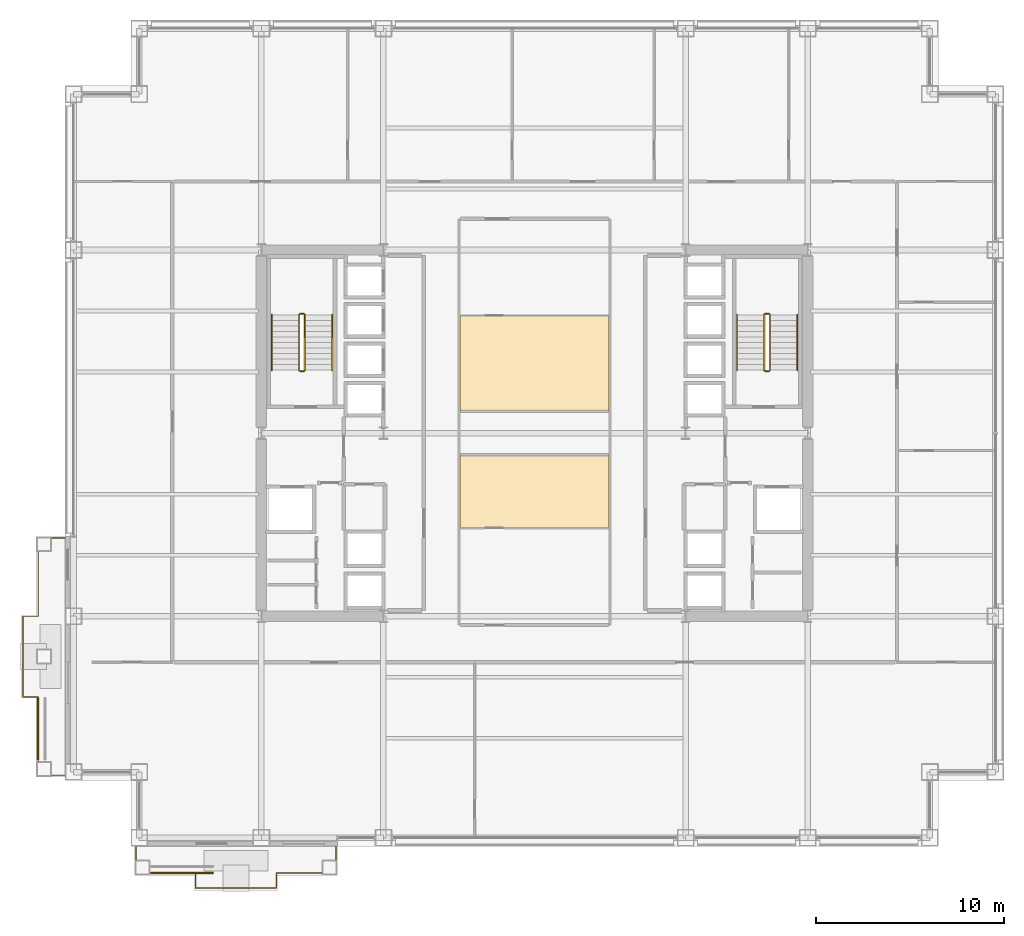
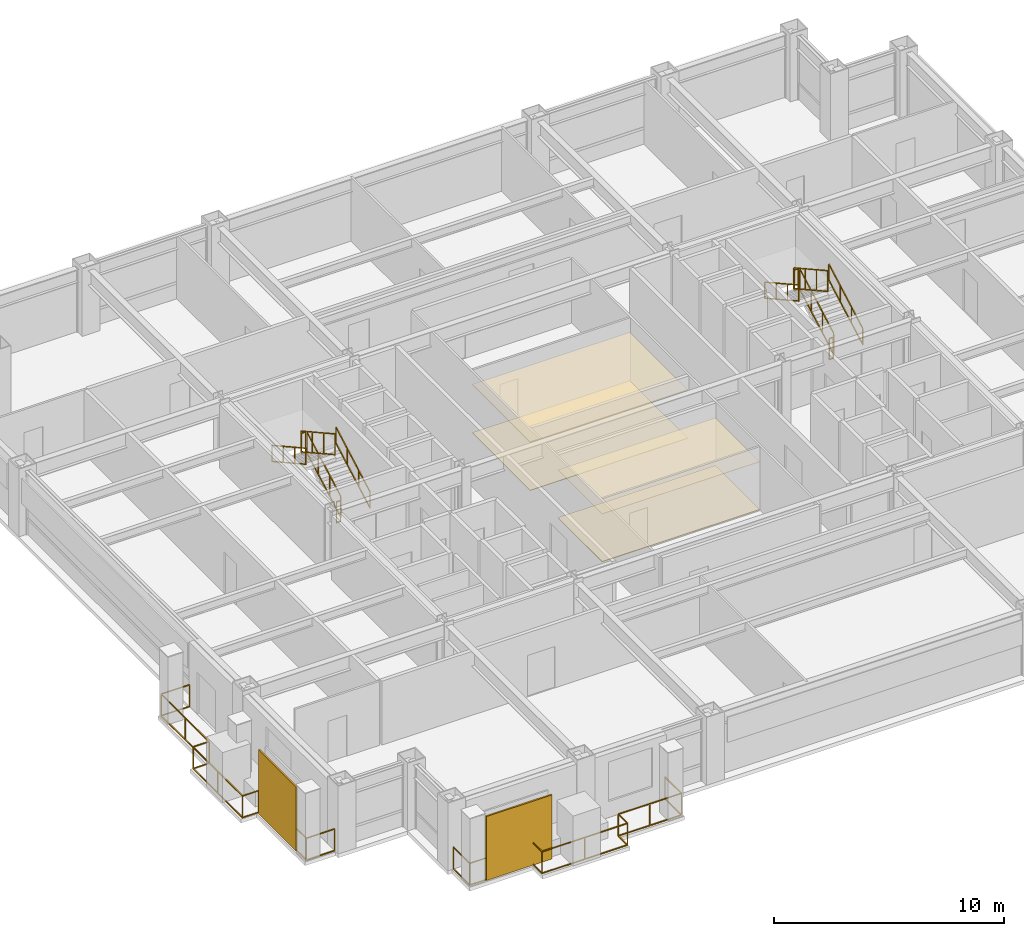
# One storey, part 27 of 28: 14 railings, 4 coverings, 2 shading devices.
"""IFC4 building model written with IfcOpenShell, lengths in metres."""

from ifc_helpers import new_model, si_unit, direction, frame, origin, origin_2d, place, context, subcontext, project, spatial, polyline, rectangle, outline, extrude, material, layer, layer_set, type_object, element, save


model = new_model("IFC4")

# Units and contexts
model_context = context("Model", 3, precision=1e-05, world=origin(), true_north=direction((0.0, 1.0)))
body_context = subcontext(model_context, "Body", "Model", "MODEL_VIEW")
ifc_project = project(units=[si_unit("LENGTHUNIT", "METRE"), si_unit("AREAUNIT", "SQUARE_METRE"), si_unit("VOLUMEUNIT", "CUBIC_METRE"), si_unit("PLANEANGLEUNIT", "RADIAN"), si_unit("MASSUNIT", "GRAM", prefix="KILO")], contexts=[model_context])

# Site, building, storey
site_placement = place(None, origin())
site = spatial("IfcSite", under=ifc_project, at=site_placement, CompositionType="ELEMENT")
building_placement = place(site_placement, origin())
building = spatial("IfcBuilding", under=site, at=building_placement, Name="Brelmoor Portico Tower", CompositionType="ELEMENT")
storey_placement = place(building_placement, frame((0.0, 0.0, 70.800048828125)))
storey = spatial("IfcBuildingStorey", under=building, at=storey_placement, Name="L18", CompositionType="ELEMENT", Elevation=70.800048828125)

# Coverings
ifc_material_1 = material(Name="Perforated Mineral-Fibre Acoustic Ceiling Tile", Category="gypsum")
ifc_layer_1 = layer(ifc_material_1, 0.02490234375)
ifc_layer_set_1 = layer_set([ifc_layer_1], Name="Perforated Mineral-Fibre Acoustic Ceiling Tile")
covering_type_1 = type_object("IfcCoveringType", Name="CV-CEIL-GYPSUM-25", PredefinedType="CEILING", material=ifc_layer_set_1)
covering_1_placement = place(storey_placement, frame((0.0, 0.0, 2.550048828125)))
element("IfcCovering", 1, at=covering_1_placement, inside=storey, type_object=covering_type_1, Name="L18 Acoustic Suspended Ceiling 02", PredefinedType="CEILING", context=body_context, shape_type="SweptSolid", body=[
    extrude(outline(polyline([(-3.9599609375, -5.06005859375), (-3.9599609375, -1.199951171875), (3.9599609375, -1.199951171875), (3.9599609375, -5.06005859375), (-3.9599609375, -5.06005859375)])), origin(), (0.0, 0.0, 1.0), 0.02490234375),
])
ifc_material_2 = material(Name="Slatted FSC Oak Acoustic Feature Ceiling", Category="timber")
ifc_layer_2 = layer(ifc_material_2, 0.052001953125)
ifc_layer_set_2 = layer_set([ifc_layer_2], Name="Slatted FSC Oak Acoustic Feature Ceiling")
covering_type_2 = type_object("IfcCoveringType", Name="CV-CEIL-TIMBER-52", PredefinedType="CEILING", material=ifc_layer_set_2)
covering_2_placement = place(storey_placement, frame((0.0, 0.0, 2.550048828125)))
element("IfcCovering", 2, at=covering_2_placement, inside=storey, type_object=covering_type_2, Name="L18 Acoustic Suspended Ceiling 01", PredefinedType="CEILING", context=body_context, shape_type="SweptSolid", body=[
    extrude(outline(polyline([(-3.9599609375, 1.199951171875), (-3.9599609375, 6.260009765625), (3.9599609375, 6.260009765625), (3.9599609375, 1.199951171875), (-3.9599609375, 1.199951171875)])), origin(), (0.0, 0.0, 1.0), 0.052001953125),
])
ifc_material_3 = material(Name="Honed Pearl-Grey Granite Paver Finish", Category="masonry")
ifc_layer_3 = layer(ifc_material_3, 0.0380859375)
ifc_layer_set_3 = layer_set([ifc_layer_3], Name="Honed Pearl-Grey Granite Paver Finish")
covering_type_3 = type_object("IfcCoveringType", Name="CV-FLR-GRANITE-38", PredefinedType="FLOORING", material=ifc_layer_set_3)
covering_3_placement = place(storey_placement, origin())
element("IfcCovering", 3, at=covering_3_placement, inside=storey, type_object=covering_type_3, Name="L18 Architectural Floor Finish 02", PredefinedType="FLOORING", context=body_context, shape_type="SweptSolid", body=[
    extrude(outline(polyline([(-3.9599609375, -5.06005859375), (-3.9599609375, -1.199951171875), (3.9599609375, -1.199951171875), (3.9599609375, -5.06005859375), (-3.9599609375, -5.06005859375)])), origin(), (0.0, 0.0, 1.0), 0.037841796875),
])
ifc_material_4 = material(Name="Polished Pale-Aggregate Cementitious Terrazzo", Category="stone")
ifc_layer_4 = layer(ifc_material_4, 0.030029296875)
ifc_layer_set_4 = layer_set([ifc_layer_4], Name="Polished Pale-Aggregate Cementitious Terrazzo")
covering_type_4 = type_object("IfcCoveringType", Name="CV-FLR-TERRAZZO-30", PredefinedType="FLOORING", material=ifc_layer_set_4)
covering_4_placement = place(storey_placement, origin())
element("IfcCovering", 4, at=covering_4_placement, inside=storey, type_object=covering_type_4, Name="L18 Architectural Floor Finish 01", PredefinedType="FLOORING", context=body_context, shape_type="SweptSolid", body=[
    extrude(outline(polyline([(-3.9599609375, 1.199951171875), (-3.9599609375, 6.260009765625), (3.9599609375, 6.260009765625), (3.9599609375, 1.199951171875), (-3.9599609375, 1.199951171875)])), origin(), (0.0, 0.0, 1.0), 0.030029296875),
])

# Railings
ifc_material_5 = material(Name="Perforated Pale Champagne Aluminium Fretwork Guard", Category="aluminium")
railing_type_1 = type_object("IfcRailingType", Name="RL-BALUSTRADE-1200", PredefinedType="BALUSTRADE", material=ifc_material_5)
railing_1_placement = place(storey_placement, frame((-21.219970703125, -22.0, 0.0)))
element("IfcRailing", 5, at=railing_1_placement, inside=storey, type_object=railing_type_1, Name="L18 Tree Balcony Fretwork Balustrade S", PredefinedType="BALUSTRADE", context=body_context, shape_type="SweptSolid", body=[
    extrude(rectangle(XDim=0.048095703125, YDim=0.048095703125, at=origin_2d()), frame((0.0, 0.0, 1.17578125), z_axis=(0.0, -1.0, 0.0), x_axis=(1.0, 0.0, 0.0)), (0.0, 0.0, 1.0), 1.429931640625),
    extrude(rectangle(XDim=0.048095703125, YDim=0.048095703125, at=origin_2d()), frame((0.0, 0.0, 0.02392578125), z_axis=(0.0, -1.0, 0.0), x_axis=(1.0, 0.0, 0.0)), (0.0, 0.0, 1.0), 1.429931640625),
    extrude(rectangle(XDim=0.048095703125, YDim=0.048095703125, at=origin_2d()), frame((0.0, -1.429931640625, 1.17578125), z_axis=(1.0, 0.0, 0.0), x_axis=(0.0, 1.0, 0.0)), (0.0, 0.0, 1.0), 3.169921875),
    extrude(rectangle(XDim=0.048095703125, YDim=0.048095703125, at=origin_2d()), frame((0.0, -1.429931640625, 0.02392578125), z_axis=(1.0, 0.0, 0.0), x_axis=(0.0, 1.0, 0.0)), (0.0, 0.0, 1.0), 3.169921875),
    extrude(rectangle(XDim=0.048095703125, YDim=0.048095703125, at=origin_2d()), frame((3.169921875, -1.429931640625, 1.17578125), z_axis=(0.0, -1.0, 0.0), x_axis=(1.0, 0.0, 0.0)), (0.0, 0.0, 1.0), 0.800048828125),
    extrude(rectangle(XDim=0.048095703125, YDim=0.048095703125, at=origin_2d()), frame((3.169921875, -1.429931640625, 0.02392578125), z_axis=(0.0, -1.0, 0.0), x_axis=(1.0, 0.0, 0.0)), (0.0, 0.0, 1.0), 0.800048828125),
    extrude(rectangle(XDim=0.048095703125, YDim=0.048095703125, at=origin_2d()), frame((3.169921875, -2.22998046875, 1.17578125), z_axis=(1.0, 0.0, 0.0), x_axis=(0.0, 1.0, 0.0)), (0.0, 0.0, 1.0), 4.300048828125),
    extrude(rectangle(XDim=0.048095703125, YDim=0.048095703125, at=origin_2d()), frame((3.169921875, -2.22998046875, 0.02392578125), z_axis=(1.0, 0.0, 0.0), x_axis=(0.0, 1.0, 0.0)), (0.0, 0.0, 1.0), 4.300048828125),
    extrude(rectangle(XDim=0.048095703125, YDim=0.048095703125, at=origin_2d()), frame((7.469970703125, -2.22998046875, 1.17578125), z_axis=(0.0, 1.0, 0.0), x_axis=(-1.0, 0.0, 0.0)), (0.0, 0.0, 1.0), 0.800048828125),
    extrude(rectangle(XDim=0.048095703125, YDim=0.048095703125, at=origin_2d()), frame((7.469970703125, -2.22998046875, 0.02392578125), z_axis=(0.0, 1.0, 0.0), x_axis=(-1.0, 0.0, 0.0)), (0.0, 0.0, 1.0), 0.800048828125),
    extrude(rectangle(XDim=0.048095703125, YDim=0.048095703125, at=origin_2d()), frame((7.469970703125, -1.429931640625, 1.17578125), z_axis=(1.0, 0.0, 0.0), x_axis=(0.0, 1.0, 0.0)), (0.0, 0.0, 1.0), 3.169921875),
    extrude(rectangle(XDim=0.048095703125, YDim=0.048095703125, at=origin_2d()), frame((7.469970703125, -1.429931640625, 0.02392578125), z_axis=(1.0, 0.0, 0.0), x_axis=(0.0, 1.0, 0.0)), (0.0, 0.0, 1.0), 3.169921875),
    extrude(rectangle(XDim=0.048095703125, YDim=0.048095703125, at=origin_2d()), frame((10.639892578125, -1.429931640625, 1.17578125), z_axis=(0.0, 1.0, 0.0), x_axis=(-1.0, 0.0, 0.0)), (0.0, 0.0, 1.0), 1.429931640625),
    extrude(rectangle(XDim=0.048095703125, YDim=0.048095703125, at=origin_2d()), frame((10.639892578125, -1.429931640625, 0.02392578125), z_axis=(0.0, 1.0, 0.0), x_axis=(-1.0, 0.0, 0.0)), (0.0, 0.0, 1.0), 1.429931640625),
    extrude(rectangle(XDim=0.0419921875, YDim=0.0419921875, at=origin_2d()), origin(), (0.0, 0.0, 1.0), 1.15185546875),
    extrude(rectangle(XDim=0.0419921875, YDim=0.0419921875, at=origin_2d()), frame((0.0, -1.429931640625, 0.0)), (0.0, 0.0, 1.0), 1.15185546875),
    extrude(rectangle(XDim=0.0419921875, YDim=0.0419921875, at=origin_2d()), frame((1.5849609375, -1.429931640625, 0.0)), (0.0, 0.0, 1.0), 1.15185546875),
    extrude(rectangle(XDim=0.0419921875, YDim=0.0419921875, at=origin_2d()), frame((3.169921875, -1.429931640625, 0.0)), (0.0, 0.0, 1.0), 1.15185546875),
    extrude(rectangle(XDim=0.0419921875, YDim=0.0419921875, at=origin_2d()), frame((3.169921875, -2.22998046875, 0.0)), (0.0, 0.0, 1.0), 1.15185546875),
    extrude(rectangle(XDim=0.0419921875, YDim=0.0419921875, at=origin_2d()), frame((5.31982421875, -2.22998046875, 0.0)), (0.0, 0.0, 1.0), 1.15185546875),
    extrude(rectangle(XDim=0.0419921875, YDim=0.0419921875, at=origin_2d()), frame((7.469970703125, -2.22998046875, 0.0)), (0.0, 0.0, 1.0), 1.15185546875),
    extrude(rectangle(XDim=0.0419921875, YDim=0.0419921875, at=origin_2d()), frame((7.469970703125, -1.429931640625, 0.0)), (0.0, 0.0, 1.0), 1.15185546875),
    extrude(rectangle(XDim=0.0419921875, YDim=0.0419921875, at=origin_2d()), frame((9.054931640625, -1.429931640625, 0.0)), (0.0, 0.0, 1.0), 1.15185546875),
    extrude(rectangle(XDim=0.0419921875, YDim=0.0419921875, at=origin_2d()), frame((10.639892578125, -1.429931640625, 0.0)), (0.0, 0.0, 1.0), 1.15185546875),
    extrude(rectangle(XDim=0.0419921875, YDim=0.0419921875, at=origin_2d()), frame((10.639892578125, 0.0, 0.0)), (0.0, 0.0, 1.0), 1.15185546875),
])
railing_2_placement = place(storey_placement, frame((-25.0, -18.219970703125, 0.0)))
element("IfcRailing", 6, at=railing_2_placement, inside=storey, type_object=railing_type_1, Name="L18 Tree Balcony Fretwork Balustrade W", PredefinedType="BALUSTRADE", context=body_context, shape_type="SweptSolid", body=[
    extrude(rectangle(XDim=0.048095703125, YDim=0.048095703125, at=origin_2d()), frame((0.0, 0.0, 1.17578125), z_axis=(-1.0, 0.0, 0.0), x_axis=(0.0, -1.0, 0.0)), (0.0, 0.0, 1.0), 1.429931640625),
    extrude(rectangle(XDim=0.048095703125, YDim=0.048095703125, at=origin_2d()), frame((0.0, 0.0, 0.02392578125), z_axis=(-1.0, 0.0, 0.0), x_axis=(0.0, -1.0, 0.0)), (0.0, 0.0, 1.0), 1.429931640625),
    extrude(rectangle(XDim=0.048095703125, YDim=0.048095703125, at=origin_2d()), frame((-1.429931640625, 0.0, 1.17578125), z_axis=(0.0, 1.0, 0.0), x_axis=(-1.0, 0.0, 0.0)), (0.0, 0.0, 1.0), 4.169921875),
    extrude(rectangle(XDim=0.048095703125, YDim=0.048095703125, at=origin_2d()), frame((-1.429931640625, 0.0, 0.02392578125), z_axis=(0.0, 1.0, 0.0), x_axis=(-1.0, 0.0, 0.0)), (0.0, 0.0, 1.0), 4.169921875),
    extrude(rectangle(XDim=0.048095703125, YDim=0.048095703125, at=origin_2d()), frame((-1.429931640625, 4.169921875, 1.17578125), z_axis=(-1.0, 0.0, 0.0), x_axis=(0.0, -1.0, 0.0)), (0.0, 0.0, 1.0), 0.800048828125),
    extrude(rectangle(XDim=0.048095703125, YDim=0.048095703125, at=origin_2d()), frame((-1.429931640625, 4.169921875, 0.02392578125), z_axis=(-1.0, 0.0, 0.0), x_axis=(0.0, -1.0, 0.0)), (0.0, 0.0, 1.0), 0.800048828125),
    extrude(rectangle(XDim=0.048095703125, YDim=0.048095703125, at=origin_2d()), frame((-2.22998046875, 4.169921875, 1.17578125), z_axis=(0.0, 1.0, 0.0), x_axis=(-1.0, 0.0, 0.0)), (0.0, 0.0, 1.0), 4.300048828125),
    extrude(rectangle(XDim=0.048095703125, YDim=0.048095703125, at=origin_2d()), frame((-2.22998046875, 4.169921875, 0.02392578125), z_axis=(0.0, 1.0, 0.0), x_axis=(-1.0, 0.0, 0.0)), (0.0, 0.0, 1.0), 4.300048828125),
    extrude(rectangle(XDim=0.048095703125, YDim=0.048095703125, at=origin_2d()), frame((-2.22998046875, 8.469970703125, 1.17578125), z_axis=(1.0, 0.0, 0.0), x_axis=(0.0, 1.0, 0.0)), (0.0, 0.0, 1.0), 0.800048828125),
    extrude(rectangle(XDim=0.048095703125, YDim=0.048095703125, at=origin_2d()), frame((-2.22998046875, 8.469970703125, 0.02392578125), z_axis=(1.0, 0.0, 0.0), x_axis=(0.0, 1.0, 0.0)), (0.0, 0.0, 1.0), 0.800048828125),
    extrude(rectangle(XDim=0.048095703125, YDim=0.048095703125, at=origin_2d()), frame((-1.429931640625, 8.469970703125, 1.17578125), z_axis=(0.0, 1.0, 0.0), x_axis=(-1.0, 0.0, 0.0)), (0.0, 0.0, 1.0), 4.169921875),
    extrude(rectangle(XDim=0.048095703125, YDim=0.048095703125, at=origin_2d()), frame((-1.429931640625, 8.469970703125, 0.02392578125), z_axis=(0.0, 1.0, 0.0), x_axis=(-1.0, 0.0, 0.0)), (0.0, 0.0, 1.0), 4.169921875),
    extrude(rectangle(XDim=0.048095703125, YDim=0.048095703125, at=origin_2d()), frame((-1.429931640625, 12.639892578125, 1.17578125), z_axis=(1.0, 0.0, 0.0), x_axis=(0.0, 1.0, 0.0)), (0.0, 0.0, 1.0), 1.429931640625),
    extrude(rectangle(XDim=0.048095703125, YDim=0.048095703125, at=origin_2d()), frame((-1.429931640625, 12.639892578125, 0.02392578125), z_axis=(1.0, 0.0, 0.0), x_axis=(0.0, 1.0, 0.0)), (0.0, 0.0, 1.0), 1.429931640625),
    extrude(rectangle(XDim=0.0419921875, YDim=0.0419921875, at=origin_2d()), origin(), (0.0, 0.0, 1.0), 1.15185546875),
    extrude(rectangle(XDim=0.0419921875, YDim=0.0419921875, at=origin_2d()), frame((-1.429931640625, 0.0, 0.0)), (0.0, 0.0, 1.0), 1.15185546875),
    extrude(rectangle(XDim=0.0419921875, YDim=0.0419921875, at=origin_2d()), frame((-1.429931640625, 2.0849609375, 0.0)), (0.0, 0.0, 1.0), 1.15185546875),
    extrude(rectangle(XDim=0.0419921875, YDim=0.0419921875, at=origin_2d()), frame((-1.429931640625, 4.169921875, 0.0)), (0.0, 0.0, 1.0), 1.15185546875),
    extrude(rectangle(XDim=0.0419921875, YDim=0.0419921875, at=origin_2d()), frame((-2.22998046875, 4.169921875, 0.0)), (0.0, 0.0, 1.0), 1.15185546875),
    extrude(rectangle(XDim=0.0419921875, YDim=0.0419921875, at=origin_2d()), frame((-2.22998046875, 6.31982421875, 0.0)), (0.0, 0.0, 1.0), 1.15185546875),
    extrude(rectangle(XDim=0.0419921875, YDim=0.0419921875, at=origin_2d()), frame((-2.22998046875, 8.469970703125, 0.0)), (0.0, 0.0, 1.0), 1.15185546875),
    extrude(rectangle(XDim=0.0419921875, YDim=0.0419921875, at=origin_2d()), frame((-1.429931640625, 8.469970703125, 0.0)), (0.0, 0.0, 1.0), 1.15185546875),
    extrude(rectangle(XDim=0.0419921875, YDim=0.0419921875, at=origin_2d()), frame((-1.429931640625, 10.554931640625, 0.0)), (0.0, 0.0, 1.0), 1.15185546875),
    extrude(rectangle(XDim=0.0419921875, YDim=0.0419921875, at=origin_2d()), frame((-1.429931640625, 12.639892578125, 0.0)), (0.0, 0.0, 1.0), 1.15185546875),
    extrude(rectangle(XDim=0.0419921875, YDim=0.0419921875, at=origin_2d()), frame((0.0, 12.639892578125, 0.0)), (0.0, 0.0, 1.0), 1.15185546875),
])
ifc_material_6 = material(Name="Painted Tubular Steel Q235B", Category="steel")
railing_type_2 = type_object("IfcRailingType", Name="RL-STAIR-GUARD", PredefinedType="GUARDRAIL", material=ifc_material_6)
railing_3_placement = place(storey_placement, frame((-12.239990234375, 3.35009765625, 0.16357421875)))
element("IfcRailing", 7, at=railing_3_placement, inside=storey, type_object=railing_type_2, Name="L18 ST-W stair guard 1", PredefinedType="GUARDRAIL", context=body_context, shape_type="SweptSolid", body=[
    extrude(rectangle(XDim=0.048095703125, YDim=0.048095703125, at=origin_2d()), frame((0.0, 0.0, 1.1259765625), z_axis=(0.0, 0.874457516365, 0.485102104791), x_axis=(-1.0, 0.0, 0.0)), (0.0, 0.0, 1.0), 3.37353515625),
    extrude(rectangle(XDim=0.048095703125, YDim=0.048095703125, at=origin_2d()), frame((0.0, 0.0, 0.02392578125), z_axis=(0.0, 0.874457516365, 0.485102104791), x_axis=(-1.0, 0.0, 0.0)), (0.0, 0.0, 1.0), 3.37353515625),
    extrude(rectangle(XDim=0.0419921875, YDim=0.0419921875, at=origin_2d()), origin(), (0.0, 0.0, 1.0), 1.101806640625),
    extrude(rectangle(XDim=0.0419921875, YDim=0.0419921875, at=origin_2d()), frame((0.0, 0.9833984375, 0.54541015625)), (0.0, 0.0, 1.0), 1.101806640625),
    extrude(rectangle(XDim=0.0419921875, YDim=0.0419921875, at=origin_2d()), frame((0.0, 1.966552734375, 1.091064453125)), (0.0, 0.0, 1.0), 1.101806640625),
    extrude(rectangle(XDim=0.0419921875, YDim=0.0419921875, at=origin_2d()), frame((0.0, 2.949951171875, 1.636474609375)), (0.0, 0.0, 1.0), 1.101806640625),
])
railing_4_placement = place(storey_placement, frame((-12.2900390625, 6.35009765625, 1.800048828125)))
element("IfcRailing", 8, at=railing_4_placement, inside=storey, type_object=railing_type_2, Name="L18 ST-W stair guard 2", PredefinedType="GUARDRAIL", context=body_context, shape_type="SweptSolid", body=[
    extrude(rectangle(XDim=0.048095703125, YDim=0.048095703125, at=origin_2d()), frame((0.0, 0.0, 1.1259765625), z_axis=(-1.0, 0.0, 0.0), x_axis=(0.0, -1.0, 0.0)), (0.0, 0.0, 1.0), 0.199951171875),
    extrude(rectangle(XDim=0.048095703125, YDim=0.048095703125, at=origin_2d()), frame((0.0, 0.0, 0.02392578125), z_axis=(-1.0, 0.0, 0.0), x_axis=(0.0, -1.0, 0.0)), (0.0, 0.0, 1.0), 0.199951171875),
    extrude(rectangle(XDim=0.0419921875, YDim=0.0419921875, at=origin_2d()), origin(), (0.0, 0.0, 1.0), 1.101806640625),
    extrude(rectangle(XDim=0.0419921875, YDim=0.0419921875, at=origin_2d()), frame((-0.199951171875, 0.0, 0.0)), (0.0, 0.0, 1.0), 1.101806640625),
])
railing_5_placement = place(storey_placement, frame((-12.5400390625, 6.300048828125, 1.963623046875)))
element("IfcRailing", 9, at=railing_5_placement, inside=storey, type_object=railing_type_2, Name="L18 ST-W stair guard 3", PredefinedType="GUARDRAIL", context=body_context, shape_type="SweptSolid", body=[
    extrude(rectangle(XDim=0.048095703125, YDim=0.048095703125, at=origin_2d()), frame((0.0, 0.0, 1.1259765625), z_axis=(0.0, -0.87448821551, 0.485046761595), x_axis=(1.0, 0.0, 0.0)), (0.0, 0.0, 1.0), 3.373291015625),
    extrude(rectangle(XDim=0.048095703125, YDim=0.048095703125, at=origin_2d()), frame((0.0, 0.0, 0.02392578125), z_axis=(0.0, -0.87448821551, 0.485046761595), x_axis=(1.0, 0.0, 0.0)), (0.0, 0.0, 1.0), 3.373291015625),
    extrude(rectangle(XDim=0.0419921875, YDim=0.0419921875, at=origin_2d()), origin(), (0.0, 0.0, 1.0), 1.101806640625),
    extrude(rectangle(XDim=0.0419921875, YDim=0.0419921875, at=origin_2d()), frame((0.0, -0.9833984375, 0.54541015625)), (0.0, 0.0, 1.0), 1.101806640625),
    extrude(rectangle(XDim=0.0419921875, YDim=0.0419921875, at=origin_2d()), frame((0.0, -1.966552734375, 1.0908203125)), (0.0, 0.0, 1.0), 1.101806640625),
    extrude(rectangle(XDim=0.0419921875, YDim=0.0419921875, at=origin_2d()), frame((0.0, -2.949951171875, 1.63623046875)), (0.0, 0.0, 1.0), 1.101806640625),
])
railing_6_placement = place(storey_placement, frame((-12.2900390625, 3.300048828125, 0.0)))
element("IfcRailing", 10, at=railing_6_placement, inside=storey, type_object=railing_type_2, Name="L18 ST-W stair guard 4", PredefinedType="GUARDRAIL", context=body_context, shape_type="SweptSolid", body=[
    extrude(rectangle(XDim=0.048095703125, YDim=0.048095703125, at=origin_2d()), frame((0.0, 0.0, 1.1259765625), z_axis=(-1.0, 0.0, 0.0), x_axis=(0.0, -1.0, 0.0)), (0.0, 0.0, 1.0), 0.199951171875),
    extrude(rectangle(XDim=0.048095703125, YDim=0.048095703125, at=origin_2d()), frame((0.0, 0.0, 0.02392578125), z_axis=(-1.0, 0.0, 0.0), x_axis=(0.0, -1.0, 0.0)), (0.0, 0.0, 1.0), 0.199951171875),
    extrude(rectangle(XDim=0.0419921875, YDim=0.0419921875, at=origin_2d()), origin(), (0.0, 0.0, 1.0), 1.101806640625),
    extrude(rectangle(XDim=0.0419921875, YDim=0.0419921875, at=origin_2d()), frame((-0.199951171875, 0.0, 0.0)), (0.0, 0.0, 1.0), 1.101806640625),
])
railing_7_placement = place(storey_placement, frame((12.5400390625, 3.35009765625, 0.16357421875)))
element("IfcRailing", 11, at=railing_7_placement, inside=storey, type_object=railing_type_2, Name="L18 ST-E stair guard 1", PredefinedType="GUARDRAIL", context=body_context, shape_type="SweptSolid", body=[
    extrude(rectangle(XDim=0.048095703125, YDim=0.048095703125, at=origin_2d()), frame((0.0, 0.0, 1.1259765625), z_axis=(0.0, 0.874457516365, 0.485102104791), x_axis=(-1.0, 0.0, 0.0)), (0.0, 0.0, 1.0), 3.37353515625),
    extrude(rectangle(XDim=0.048095703125, YDim=0.048095703125, at=origin_2d()), frame((0.0, 0.0, 0.02392578125), z_axis=(0.0, 0.874457516365, 0.485102104791), x_axis=(-1.0, 0.0, 0.0)), (0.0, 0.0, 1.0), 3.37353515625),
    extrude(rectangle(XDim=0.0419921875, YDim=0.0419921875, at=origin_2d()), origin(), (0.0, 0.0, 1.0), 1.101806640625),
    extrude(rectangle(XDim=0.0419921875, YDim=0.0419921875, at=origin_2d()), frame((0.0, 0.9833984375, 0.54541015625)), (0.0, 0.0, 1.0), 1.101806640625),
    extrude(rectangle(XDim=0.0419921875, YDim=0.0419921875, at=origin_2d()), frame((0.0, 1.966552734375, 1.091064453125)), (0.0, 0.0, 1.0), 1.101806640625),
    extrude(rectangle(XDim=0.0419921875, YDim=0.0419921875, at=origin_2d()), frame((0.0, 2.949951171875, 1.636474609375)), (0.0, 0.0, 1.0), 1.101806640625),
])
railing_8_placement = place(storey_placement, frame((12.489990234375, 6.35009765625, 1.800048828125)))
element("IfcRailing", 12, at=railing_8_placement, inside=storey, type_object=railing_type_2, Name="L18 ST-E stair guard 2", PredefinedType="GUARDRAIL", context=body_context, shape_type="SweptSolid", body=[
    extrude(rectangle(XDim=0.048095703125, YDim=0.048095703125, at=origin_2d()), frame((0.0, 0.0, 1.1259765625), z_axis=(-1.0, 0.0, 0.0), x_axis=(0.0, -1.0, 0.0)), (0.0, 0.0, 1.0), 0.199951171875),
    extrude(rectangle(XDim=0.048095703125, YDim=0.048095703125, at=origin_2d()), frame((0.0, 0.0, 0.02392578125), z_axis=(-1.0, 0.0, 0.0), x_axis=(0.0, -1.0, 0.0)), (0.0, 0.0, 1.0), 0.199951171875),
    extrude(rectangle(XDim=0.0419921875, YDim=0.0419921875, at=origin_2d()), origin(), (0.0, 0.0, 1.0), 1.101806640625),
    extrude(rectangle(XDim=0.0419921875, YDim=0.0419921875, at=origin_2d()), frame((-0.199951171875, 0.0, 0.0)), (0.0, 0.0, 1.0), 1.101806640625),
])
railing_9_placement = place(storey_placement, frame((12.239990234375, 6.300048828125, 1.963623046875)))
element("IfcRailing", 13, at=railing_9_placement, inside=storey, type_object=railing_type_2, Name="L18 ST-E stair guard 3", PredefinedType="GUARDRAIL", context=body_context, shape_type="SweptSolid", body=[
    extrude(rectangle(XDim=0.048095703125, YDim=0.048095703125, at=origin_2d()), frame((0.0, 0.0, 1.1259765625), z_axis=(0.0, -0.87448821551, 0.485046761595), x_axis=(1.0, 0.0, 0.0)), (0.0, 0.0, 1.0), 3.373291015625),
    extrude(rectangle(XDim=0.048095703125, YDim=0.048095703125, at=origin_2d()), frame((0.0, 0.0, 0.02392578125), z_axis=(0.0, -0.87448821551, 0.485046761595), x_axis=(1.0, 0.0, 0.0)), (0.0, 0.0, 1.0), 3.373291015625),
    extrude(rectangle(XDim=0.0419921875, YDim=0.0419921875, at=origin_2d()), origin(), (0.0, 0.0, 1.0), 1.101806640625),
    extrude(rectangle(XDim=0.0419921875, YDim=0.0419921875, at=origin_2d()), frame((0.0, -0.9833984375, 0.54541015625)), (0.0, 0.0, 1.0), 1.101806640625),
    extrude(rectangle(XDim=0.0419921875, YDim=0.0419921875, at=origin_2d()), frame((0.0, -1.966552734375, 1.0908203125)), (0.0, 0.0, 1.0), 1.101806640625),
    extrude(rectangle(XDim=0.0419921875, YDim=0.0419921875, at=origin_2d()), frame((0.0, -2.949951171875, 1.63623046875)), (0.0, 0.0, 1.0), 1.101806640625),
])
railing_10_placement = place(storey_placement, frame((12.489990234375, 3.300048828125, 0.0)))
element("IfcRailing", 14, at=railing_10_placement, inside=storey, type_object=railing_type_2, Name="L18 ST-E stair guard 4", PredefinedType="GUARDRAIL", context=body_context, shape_type="SweptSolid", body=[
    extrude(rectangle(XDim=0.048095703125, YDim=0.048095703125, at=origin_2d()), frame((0.0, 0.0, 1.1259765625), z_axis=(-1.0, 0.0, 0.0), x_axis=(0.0, -1.0, 0.0)), (0.0, 0.0, 1.0), 0.199951171875),
    extrude(rectangle(XDim=0.048095703125, YDim=0.048095703125, at=origin_2d()), frame((0.0, 0.0, 0.02392578125), z_axis=(-1.0, 0.0, 0.0), x_axis=(0.0, -1.0, 0.0)), (0.0, 0.0, 1.0), 0.199951171875),
    extrude(rectangle(XDim=0.0419921875, YDim=0.0419921875, at=origin_2d()), origin(), (0.0, 0.0, 1.0), 1.101806640625),
    extrude(rectangle(XDim=0.0419921875, YDim=0.0419921875, at=origin_2d()), frame((-0.199951171875, 0.0, 0.0)), (0.0, 0.0, 1.0), 1.101806640625),
])
ifc_material_7 = material(Name="Brushed Stainless Steel 304", Category="steel")
railing_type_3 = type_object("IfcRailingType", Name="RL-STAIR-HANDRAIL", PredefinedType="HANDRAIL", material=ifc_material_7)
railing_11_placement = place(storey_placement, frame((-10.780029296875, 3.35009765625, 0.16357421875)))
element("IfcRailing", 15, at=railing_11_placement, inside=storey, type_object=railing_type_3, Name="L18 ST-W stair handrail 1", PredefinedType="HANDRAIL", context=body_context, shape_type="SweptSolid", body=[
    extrude(rectangle(XDim=0.048095703125, YDim=0.048095703125, at=origin_2d()), frame((0.0, 0.0, 0.8759765625), z_axis=(0.0, 0.874457516365, 0.485102104791), x_axis=(-1.0, 0.0, 0.0)), (0.0, 0.0, 1.0), 3.37353515625),
    extrude(rectangle(XDim=0.048095703125, YDim=0.048095703125, at=origin_2d()), frame((0.0, 0.0, 0.02392578125), z_axis=(0.0, 0.874457516365, 0.485102104791), x_axis=(-1.0, 0.0, 0.0)), (0.0, 0.0, 1.0), 3.37353515625),
    extrude(rectangle(XDim=0.0419921875, YDim=0.0419921875, at=origin_2d()), origin(), (0.0, 0.0, 1.0), 0.851806640625),
    extrude(rectangle(XDim=0.0419921875, YDim=0.0419921875, at=origin_2d()), frame((0.0, 0.9833984375, 0.54541015625)), (0.0, 0.0, 1.0), 0.851806640625),
    extrude(rectangle(XDim=0.0419921875, YDim=0.0419921875, at=origin_2d()), frame((0.0, 1.966552734375, 1.091064453125)), (0.0, 0.0, 1.0), 0.851806640625),
    extrude(rectangle(XDim=0.0419921875, YDim=0.0419921875, at=origin_2d()), frame((0.0, 2.949951171875, 1.636474609375)), (0.0, 0.0, 1.0), 0.851806640625),
])
railing_12_placement = place(storey_placement, frame((-14.0, 6.300048828125, 1.963623046875)))
element("IfcRailing", 16, at=railing_12_placement, inside=storey, type_object=railing_type_3, Name="L18 ST-W stair handrail 2", PredefinedType="HANDRAIL", context=body_context, shape_type="SweptSolid", body=[
    extrude(rectangle(XDim=0.048095703125, YDim=0.048095703125, at=origin_2d()), frame((0.0, 0.0, 0.8759765625), z_axis=(0.0, -0.87448821551, 0.485046761595), x_axis=(1.0, 0.0, 0.0)), (0.0, 0.0, 1.0), 3.373291015625),
    extrude(rectangle(XDim=0.048095703125, YDim=0.048095703125, at=origin_2d()), frame((0.0, 0.0, 0.02392578125), z_axis=(0.0, -0.87448821551, 0.485046761595), x_axis=(1.0, 0.0, 0.0)), (0.0, 0.0, 1.0), 3.373291015625),
    extrude(rectangle(XDim=0.0419921875, YDim=0.0419921875, at=origin_2d()), origin(), (0.0, 0.0, 1.0), 0.851806640625),
    extrude(rectangle(XDim=0.0419921875, YDim=0.0419921875, at=origin_2d()), frame((0.0, -0.9833984375, 0.54541015625)), (0.0, 0.0, 1.0), 0.851806640625),
    extrude(rectangle(XDim=0.0419921875, YDim=0.0419921875, at=origin_2d()), frame((0.0, -1.966552734375, 1.0908203125)), (0.0, 0.0, 1.0), 0.851806640625),
    extrude(rectangle(XDim=0.0419921875, YDim=0.0419921875, at=origin_2d()), frame((0.0, -2.949951171875, 1.63623046875)), (0.0, 0.0, 1.0), 0.851806640625),
])
railing_13_placement = place(storey_placement, frame((14.0, 3.35009765625, 0.16357421875)))
element("IfcRailing", 17, at=railing_13_placement, inside=storey, type_object=railing_type_3, Name="L18 ST-E stair handrail 1", PredefinedType="HANDRAIL", context=body_context, shape_type="SweptSolid", body=[
    extrude(rectangle(XDim=0.048095703125, YDim=0.048095703125, at=origin_2d()), frame((0.0, 0.0, 0.8759765625), z_axis=(0.0, 0.874457516365, 0.485102104791), x_axis=(-1.0, 0.0, 0.0)), (0.0, 0.0, 1.0), 3.37353515625),
    extrude(rectangle(XDim=0.048095703125, YDim=0.048095703125, at=origin_2d()), frame((0.0, 0.0, 0.02392578125), z_axis=(0.0, 0.874457516365, 0.485102104791), x_axis=(-1.0, 0.0, 0.0)), (0.0, 0.0, 1.0), 3.37353515625),
    extrude(rectangle(XDim=0.0419921875, YDim=0.0419921875, at=origin_2d()), origin(), (0.0, 0.0, 1.0), 0.851806640625),
    extrude(rectangle(XDim=0.0419921875, YDim=0.0419921875, at=origin_2d()), frame((0.0, 0.9833984375, 0.54541015625)), (0.0, 0.0, 1.0), 0.851806640625),
    extrude(rectangle(XDim=0.0419921875, YDim=0.0419921875, at=origin_2d()), frame((0.0, 1.966552734375, 1.091064453125)), (0.0, 0.0, 1.0), 0.851806640625),
    extrude(rectangle(XDim=0.0419921875, YDim=0.0419921875, at=origin_2d()), frame((0.0, 2.949951171875, 1.636474609375)), (0.0, 0.0, 1.0), 0.851806640625),
])
railing_14_placement = place(storey_placement, frame((10.780029296875, 6.300048828125, 1.963623046875)))
element("IfcRailing", 18, at=railing_14_placement, inside=storey, type_object=railing_type_3, Name="L18 ST-E stair handrail 2", PredefinedType="HANDRAIL", context=body_context, shape_type="SweptSolid", body=[
    extrude(rectangle(XDim=0.048095703125, YDim=0.048095703125, at=origin_2d()), frame((0.0, 0.0, 0.8759765625), z_axis=(0.0, -0.87448821551, 0.485046761595), x_axis=(1.0, 0.0, 0.0)), (0.0, 0.0, 1.0), 3.373291015625),
    extrude(rectangle(XDim=0.048095703125, YDim=0.048095703125, at=origin_2d()), frame((0.0, 0.0, 0.02392578125), z_axis=(0.0, -0.87448821551, 0.485046761595), x_axis=(1.0, 0.0, 0.0)), (0.0, 0.0, 1.0), 3.373291015625),
    extrude(rectangle(XDim=0.0419921875, YDim=0.0419921875, at=origin_2d()), origin(), (0.0, 0.0, 1.0), 0.851806640625),
    extrude(rectangle(XDim=0.0419921875, YDim=0.0419921875, at=origin_2d()), frame((0.0, -0.9833984375, 0.54541015625)), (0.0, 0.0, 1.0), 0.851806640625),
    extrude(rectangle(XDim=0.0419921875, YDim=0.0419921875, at=origin_2d()), frame((0.0, -1.966552734375, 1.0908203125)), (0.0, 0.0, 1.0), 0.851806640625),
    extrude(rectangle(XDim=0.0419921875, YDim=0.0419921875, at=origin_2d()), frame((0.0, -2.949951171875, 1.63623046875)), (0.0, 0.0, 1.0), 0.851806640625),
])

# Shading devices
ifc_material_8 = material(Name="Powder-Coated Aluminium Shuttered Jalousie", Category="aluminium")
ifc_layer_5 = layer(ifc_material_8, 0.080078125)
ifc_layer_set_5 = layer_set([ifc_layer_5], Name="Powder-Coated Aluminium Shuttered Jalousie")
shading_device_type = type_object("IfcShadingDeviceType", Name="SD-JALOUSIE-LOGGIA", PredefinedType="JALOUSIE", material=ifc_layer_set_5)
for number, where, z_axis, x_axis, name in (
    (19, (-18.75, -23.429931640625, 0.0), (0.0, 0.0, 1.0), (1.0, 0.0, 0.0), "L18 Loggia Shuttered Jalousie S"),
    (20, (-26.429931640625, -15.75, 0.0), (0.0, 0.0, 1.0), (0.0, 1.0, 0.0), "L18 Loggia Shuttered Jalousie W"),
):
    element("IfcShadingDevice", number, at=place(storey_placement, frame(where, z_axis=z_axis, x_axis=x_axis)), inside=storey, type_object=shading_device_type, Name=name, PredefinedType="JALOUSIE", context=body_context, shape_type="SweptSolid", body=[
        extrude(rectangle(XDim=3.300048828125, YDim=0.080078125, at=origin_2d()), origin(), (0.0, 0.0, 1.0), 3.39990234375),
    ])

save(model, "model.ifc")
